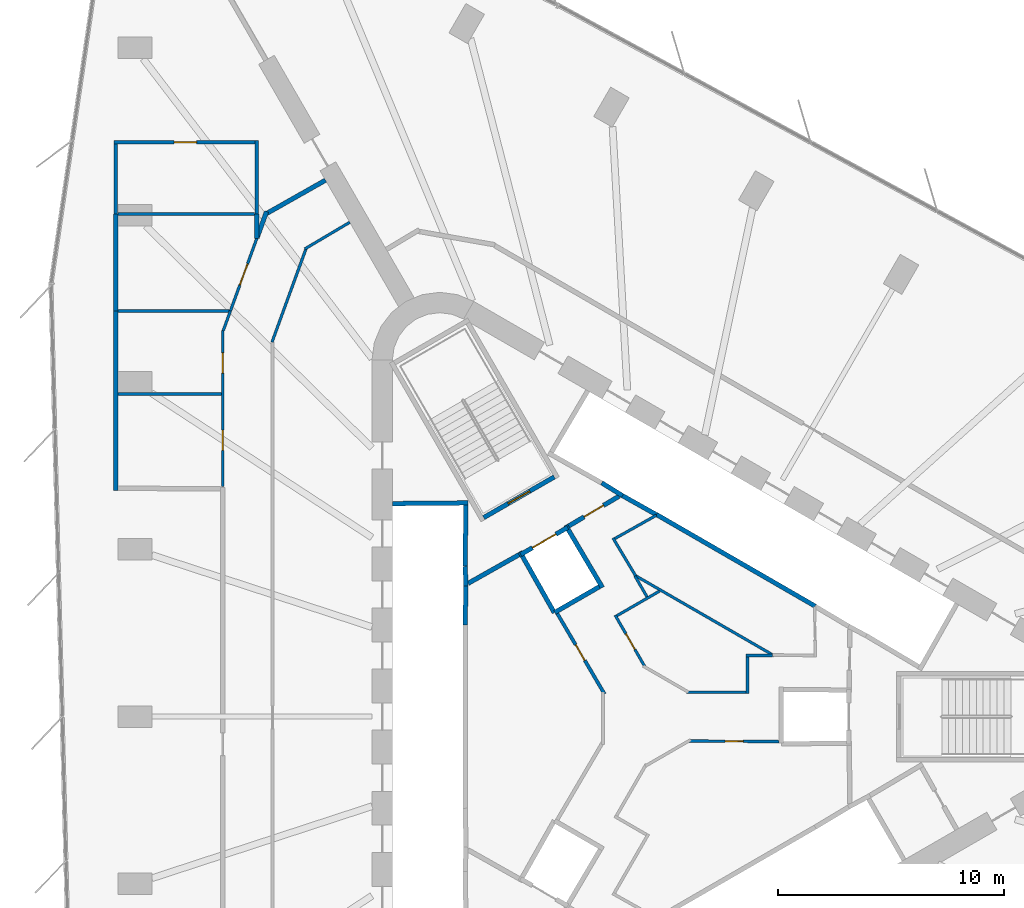
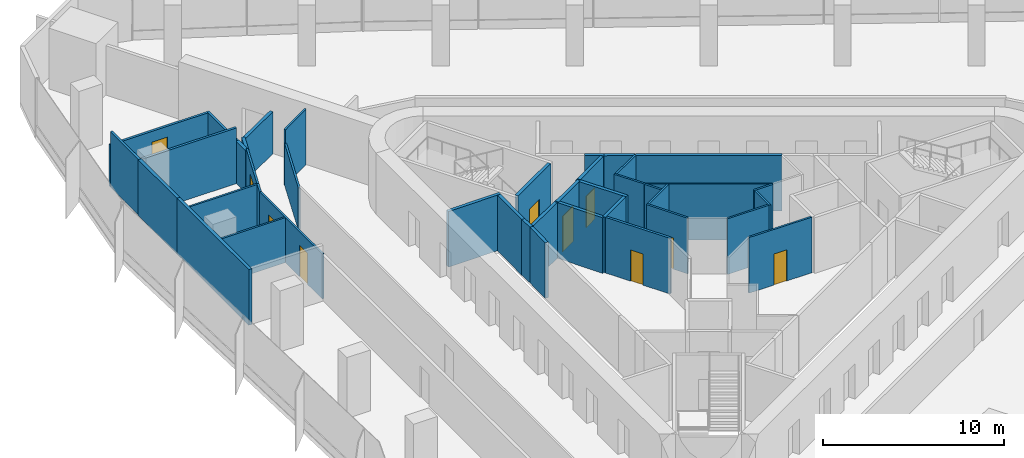
# One storey, part 10 of 14: 41 walls, 10 doors, 10 openings.
"""IFC4 building model written with IfcOpenShell, lengths in metres."""

from ifc_helpers import new_model, si_unit, direction, frame, frame_2d, origin, place, context, subcontext, project, spatial, rectangle, extrude, material, layer, layer_set, type_object, element, fill, save


model = new_model("IFC4")

# Units and contexts
model_context = context("Model", 3, precision=1e-05, world=origin(), true_north=direction((0.0, 1.0)))
body_context = subcontext(model_context, "Body", "Model", "MODEL_VIEW")
ifc_project = project(units=[si_unit("LENGTHUNIT", "METRE"), si_unit("AREAUNIT", "SQUARE_METRE"), si_unit("VOLUMEUNIT", "CUBIC_METRE"), si_unit("PLANEANGLEUNIT", "RADIAN"), si_unit("MASSUNIT", "GRAM", prefix="KILO")], contexts=[model_context])

# Site, building, storey
site_placement = place(None, origin())
site = spatial("IfcSite", under=ifc_project, at=site_placement, CompositionType="ELEMENT")
building_placement = place(site_placement, origin())
building = spatial("IfcBuilding", under=site, at=building_placement, Name="Tanit Gate Tower", CompositionType="ELEMENT")
storey_placement = place(building_placement, frame((0.0, 0.0, 152.10009765625)))
storey = spatial("IfcBuildingStorey", under=building, at=storey_placement, Name="L33", CompositionType="ELEMENT", Elevation=152.10009765625)

# Wall
ifc_material_1 = material(Name="Fire-rated gypsum board partition")
ifc_layer_1 = layer(ifc_material_1, 0.199951171875)
ifc_layer_set_1 = layer_set([ifc_layer_1], Name="INT-WALL-COMPARTMENT")
wall_type_1 = type_object("IfcWallType", Name="INT-WALL-COMPARTMENT", PredefinedType="PARTITIONING", material=ifc_layer_set_1)
wall_1_placement = place(storey_placement, frame((-5.600341796875, 7.16015625, 0.0), z_axis=(0.0, 0.0, 1.0), x_axis=(-0.871340486379, -0.490678873396, 0.0)))
element("IfcWall", 1, at=wall_1_placement, inside=storey, type_object=wall_type_1, Name="Wall Compartment W061", PredefinedType="PARTITIONING", context=body_context, shape_type="SweptSolid", body=[
    extrude(rectangle(XDim=2.580810546875, YDim=0.199951171875, at=frame_2d((1.29052734375, 0.0))), origin(), (0.0, 0.0, 1.0), 3.75),
])

# Wall, opening, door
wall_2_placement = place(storey_placement, frame((-1.179443359375, 9.74462890625, 0.0), z_axis=(0.0, 0.0, 1.0), x_axis=(-0.860598681535, -0.509283721849, 0.0)))
wall_2 = element("IfcWall", 2, at=wall_2_placement, inside=storey, type_object=wall_type_1, Name="Wall Compartment W062", PredefinedType="PARTITIONING", context=body_context, shape_type="SweptSolid", body=[
    extrude(rectangle(XDim=2.5810546875, YDim=0.199951171875, at=frame_2d((1.29052734375, 0.0))), origin(), (0.0, 0.0, 1.0), 3.75),
])
opening_1_placement = place(wall_2_placement, frame((0.79052734375, 0.0, 0.0)))
opening_1 = element("IfcOpeningElement", 3, at=opening_1_placement, cuts=wall_2, Name="Opening F10-S08-05", PredefinedType="OPENING", context=body_context, shape_type="SweptSolid", body=[
    extrude(rectangle(XDim=1.0, YDim=2.10009765625, at=frame_2d((0.5, 1.050048828125))), frame((0.0, 0.10986328125, 0.0), z_axis=(0.0, -1.0, 0.0), x_axis=(1.0, 0.0, 0.0)), (0.0, 0.0, 1.0), 0.219970703125),
])
ifc_material_2 = material(Name="Fire-rated steel door leaf", Category="steel")
door_type_1 = type_object("IfcDoorType", Name="INT-DOOR-FIRE-1000", OperationType="NOTDEFINED", PredefinedType="USERDEFINED", material=ifc_material_2)
door_1_placement = place(opening_1_placement, origin())
door_1 = element("IfcDoor", 4, at=door_1_placement, inside=storey, type_object=door_type_1, Name="Door F10-S08-05", ObjectType="FIRE DOOR", OperationType="SINGLE_SWING_RIGHT", OverallHeight=2.10009765625, OverallWidth=1.0, PredefinedType="USERDEFINED", context=body_context, shape_type="SweptSolid", body=[
    extrude(rectangle(XDim=1.0, YDim=2.10009765625, at=frame_2d((0.5, 1.050048828125))), frame((0.0, 0.02490234375, 0.0), z_axis=(0.0, -1.0, 0.0), x_axis=(1.0, 0.0, 0.0)), (0.0, 0.0, 1.0), 0.050048828125),
])
fill(opening_1, door_1)

# Walls
wall_3_placement = place(storey_placement, frame((-16.760498046875, 22.333251953125, 0.0), z_axis=(0.0, 0.0, 1.0), x_axis=(-0.342041387985, -0.93968488809, 0.0)))
element("IfcWall", 5, at=wall_3_placement, inside=storey, type_object=wall_type_1, Name="Wall Compartment W095", PredefinedType="PARTITIONING", context=body_context, shape_type="SweptSolid", body=[
    extrude(rectangle(XDim=1.248291015625, YDim=0.199951171875, at=frame_2d((0.6240234375, 0.0))), origin(), (0.0, 0.0, 1.0), 2.829833984375),
])
wall_4_placement = place(storey_placement, frame((-14.15625, 23.719482421875, 0.0), z_axis=(0.0, 0.0, 1.0), x_axis=(-0.870320915518, -0.492485029226, 0.0)))
element("IfcWall", 6, at=wall_4_placement, inside=storey, type_object=wall_type_1, Name="Wall Compartment W096", PredefinedType="PARTITIONING", context=body_context, shape_type="SweptSolid", body=[
    extrude(rectangle(XDim=2.98974609375, YDim=0.199951171875, at=frame_2d((1.494873046875, 0.0))), origin(), (0.0, 0.0, 1.0), 2.829833984375),
])
wall_5_placement = place(storey_placement, frame((-23.429931640625, 10.0, 0.0), z_axis=(0.0, 0.0, 1.0), x_axis=(0.0, 1.0, 0.0)))
element("IfcWall", 7, at=wall_5_placement, inside=storey, type_object=wall_type_1, Name="Wall Compartment W120", PredefinedType="PARTITIONING", context=body_context, shape_type="SweptSolid", body=[
    extrude(rectangle(XDim=7.931884765625, YDim=0.199951171875, at=frame_2d((3.9658203125, 0.0))), origin(), (0.0, 0.0, 1.0), 3.75),
])
wall_6_placement = place(storey_placement, frame((-23.429931640625, 17.931884765625, 0.0), z_axis=(0.0, 0.0, 1.0), x_axis=(0.0, 1.0, 0.0)))
element("IfcWall", 8, at=wall_6_placement, inside=storey, type_object=wall_type_1, Name="Wall Compartment W123", PredefinedType="PARTITIONING", context=body_context, shape_type="SweptSolid", body=[
    extrude(rectangle(XDim=4.28466796875, YDim=0.199951171875, at=frame_2d((2.142333984375, 0.0))), origin(), (0.0, 0.0, 1.0), 3.75),
])
wall_7_placement = place(storey_placement, frame((-17.199951171875, 21.141357421875, 0.0), z_axis=(0.0, 0.0, 1.0), x_axis=(0.0, 1.0, 0.0)))
element("IfcWall", 9, at=wall_7_placement, inside=storey, type_object=wall_type_1, Name="Wall Compartment W124", PredefinedType="PARTITIONING", context=body_context, shape_type="SweptSolid", body=[
    extrude(rectangle(XDim=1.0751953125, YDim=0.199951171875, at=frame_2d((0.53759765625, 0.0))), origin(), (0.0, 0.0, 1.0), 2.829833984375),
])

# Wall, opening, door
ifc_material_3 = material(Name="Gypsum board partition")
ifc_layer_2 = layer(ifc_material_3, 0.1201171875)
ifc_layer_set_2 = layer_set([ifc_layer_2], Name="INT-WALL-PARTITION")
wall_type_2 = type_object("IfcWallType", Name="INT-WALL-PARTITION", PredefinedType="PARTITIONING", material=ifc_layer_set_2)
wall_8_placement = place(storey_placement, frame((5.89990234375, -1.103759765625, 0.0), z_axis=(0.0, 0.0, 1.0), x_axis=(-0.999974192295, 0.007184340221, 0.0)))
wall_8 = element("IfcWall", 10, at=wall_8_placement, inside=storey, type_object=wall_type_2, Name="Wall Partition W073", PredefinedType="PARTITIONING", context=body_context, shape_type="SweptSolid", body=[
    extrude(rectangle(XDim=3.975830078125, YDim=0.1201171875, at=frame_2d((1.98779296875, 0.0))), origin(), (0.0, 0.0, 1.0), 3.75),
])
opening_2_placement = place(wall_8_placement, frame((1.587890625, 0.0, 0.0)))
opening_2 = element("IfcOpeningElement", 11, at=opening_2_placement, cuts=wall_8, Name="Opening R08-S08-11", PredefinedType="OPENING", context=body_context, shape_type="SweptSolid", body=[
    extrude(rectangle(XDim=0.800048828125, YDim=2.10009765625, at=frame_2d((0.39990234375, 1.050048828125))), frame((0.0, 0.070068359375, 0.0), z_axis=(0.0, -1.0, 0.0), x_axis=(1.0, 0.0, 0.0)), (0.0, 0.0, 1.0), 0.14013671875),
])
ifc_material_4 = material(Name="Timber door leaf", Category="wood")
door_type_2 = type_object("IfcDoorType", Name="INT-DOOR-RISER-800", OperationType="NOTDEFINED", PredefinedType="USERDEFINED", material=ifc_material_4)
door_2_placement = place(opening_2_placement, origin())
door_2 = element("IfcDoor", 12, at=door_2_placement, inside=storey, type_object=door_type_2, Name="Door R08-S08-11", ObjectType="FIRE DOOR", OperationType="SINGLE_SWING_RIGHT", OverallHeight=2.10009765625, OverallWidth=0.800048828125, PredefinedType="USERDEFINED", context=body_context, shape_type="SweptSolid", body=[
    extrude(rectangle(XDim=0.800048828125, YDim=2.10009765625, at=frame_2d((0.39990234375, 1.050048828125))), frame((0.0, 0.02490234375, 0.0), z_axis=(0.0, -1.0, 0.0), x_axis=(1.0, 0.0, 0.0)), (0.0, 0.0, 1.0), 0.050048828125),
])
fill(opening_2, door_2)

# Walls
wall_9_placement = place(storey_placement, frame((-0.497802734375, 6.262451171875, 0.0), z_axis=(0.0, 0.0, 1.0), x_axis=(0.866016105569, -0.500016104636, 0.0)))
element("IfcWall", 13, at=wall_9_placement, inside=storey, type_object=wall_type_2, Name="Wall Partition W074", PredefinedType="PARTITIONING", context=body_context, shape_type="SweptSolid", body=[
    extrude(rectangle(XDim=7.124755859375, YDim=0.1201171875, at=frame_2d((3.5625, 0.0))), origin(), (0.0, 0.0, 1.0), 3.75),
])
wall_10_placement = place(storey_placement, frame((-1.442626953125, 7.896728515625, 0.0), z_axis=(0.0, 0.0, 1.0), x_axis=(0.51333134022, -0.8581905005, 0.0)))
element("IfcWall", 14, at=wall_10_placement, inside=storey, type_object=wall_type_2, Name="Wall Partition W075", PredefinedType="PARTITIONING", context=body_context, shape_type="SweptSolid", body=[
    extrude(rectangle(XDim=1.943359375, YDim=0.1201171875, at=frame_2d((0.9716796875, 0.0))), origin(), (0.0, 0.0, 1.0), 3.75),
])
wall_11_placement = place(storey_placement, frame((0.475341796875, 8.9052734375, 0.0), z_axis=(0.0, 0.0, 1.0), x_axis=(-0.871832572129, -0.489804007921, 0.0)))
element("IfcWall", 15, at=wall_11_placement, inside=storey, type_object=wall_type_2, Name="Wall Partition W076", PredefinedType="PARTITIONING", context=body_context, shape_type="SweptSolid", body=[
    extrude(rectangle(XDim=2.1044921875, YDim=0.1201171875, at=frame_2d((1.05224609375, 0.0))), origin(), (0.0, 0.0, 1.0), 3.75),
])
wall_12_placement = place(storey_placement, frame((4.43994140625, 2.699951171875, 0.0), z_axis=(0.0, 0.0, 1.0), x_axis=(1.0, 0.0, 0.0)))
element("IfcWall", 16, at=wall_12_placement, inside=storey, type_object=wall_type_2, Name="Wall Partition W079", PredefinedType="PARTITIONING", context=body_context, shape_type="SweptSolid", body=[
    extrude(rectangle(XDim=1.1767578125, YDim=0.1201171875, at=frame_2d((0.58837890625, 0.0))), origin(), (0.0, 0.0, 1.0), 3.75),
])
wall_13_placement = place(storey_placement, frame((4.5, 1.014892578125, 0.0), z_axis=(0.0, 0.0, 1.0), x_axis=(0.0, 1.0, 0.0)))
element("IfcWall", 17, at=wall_13_placement, inside=storey, type_object=wall_type_2, Name="Wall Partition W080", PredefinedType="PARTITIONING", context=body_context, shape_type="SweptSolid", body=[
    extrude(rectangle(XDim=1.625, YDim=0.1201171875, at=frame_2d((0.8125, 0.0))), origin(), (0.0, 0.0, 1.0), 3.75),
])
wall_14_placement = place(storey_placement, frame((1.80126953125, 1.074951171875, 0.0), z_axis=(0.0, 0.0, 1.0), x_axis=(1.0, 0.0, 0.0)))
element("IfcWall", 18, at=wall_14_placement, inside=storey, type_object=wall_type_2, Name="Wall Partition W081", PredefinedType="PARTITIONING", context=body_context, shape_type="SweptSolid", body=[
    extrude(rectangle(XDim=2.638671875, YDim=0.1201171875, at=frame_2d((1.3193359375, 0.0))), origin(), (0.0, 0.0, 1.0), 3.75),
])

# Wall, opening, door
wall_15_placement = place(storey_placement, frame((-1.34912109375, 4.486572265625, 0.0), z_axis=(0.0, 0.0, 1.0), x_axis=(0.500013727357, -0.866017478146, 0.0)))
wall_15 = element("IfcWall", 19, at=wall_15_placement, inside=storey, type_object=wall_type_2, Name="Wall Partition W083", PredefinedType="PARTITIONING", context=body_context, shape_type="SweptSolid", body=[
    extrude(rectangle(XDim=2.63623046875, YDim=0.1201171875, at=frame_2d((1.318115234375, 0.0))), origin(), (0.0, 0.0, 1.0), 3.75),
])
opening_3_placement = place(wall_15_placement, frame((0.947998046875, 0.0, 0.0)))
opening_3 = element("IfcOpeningElement", 20, at=opening_3_placement, cuts=wall_15, Name="Opening R08-S08-13", PredefinedType="OPENING", context=body_context, shape_type="SweptSolid", body=[
    extrude(rectangle(XDim=0.800048828125, YDim=2.10009765625, at=frame_2d((0.39990234375, 1.050048828125))), frame((0.0, 0.070068359375, 0.0), z_axis=(0.0, -1.0, 0.0), x_axis=(1.0, 0.0, 0.0)), (0.0, 0.0, 1.0), 0.14013671875),
])
door_3_placement = place(opening_3_placement, origin())
door_3 = element("IfcDoor", 21, at=door_3_placement, inside=storey, type_object=door_type_2, Name="Door R08-S08-13", ObjectType="FIRE DOOR", OperationType="SINGLE_SWING_RIGHT", OverallHeight=2.10009765625, OverallWidth=0.800048828125, PredefinedType="USERDEFINED", context=body_context, shape_type="SweptSolid", body=[
    extrude(rectangle(XDim=0.800048828125, YDim=2.10009765625, at=frame_2d((0.39990234375, 1.050048828125))), frame((0.0, 0.02490234375, 0.0), z_axis=(0.0, -1.0, 0.0), x_axis=(1.0, 0.0, 0.0)), (0.0, 0.0, 1.0), 0.050048828125),
])
fill(opening_3, door_3)

# Walls
wall_16_placement = place(storey_placement, frame((0.614501953125, 5.551025390625, 0.0), z_axis=(0.0, 0.0, 1.0), x_axis=(-0.866007815276, -0.500030462953, 0.0)))
element("IfcWall", 22, at=wall_16_placement, inside=storey, type_object=wall_type_2, Name="Wall Partition W084", PredefinedType="PARTITIONING", context=body_context, shape_type="SweptSolid", body=[
    extrude(rectangle(XDim=2.172607421875, YDim=0.1201171875, at=frame_2d((1.08642578125, 0.0))), origin(), (0.0, 0.0, 1.0), 3.75),
])
wall_17_placement = place(storey_placement, frame((-0.469970703125, 6.214111328125, 0.0), z_axis=(0.0, 0.0, 1.0), x_axis=(0.500015802937, -0.866016279763, 0.0)))
element("IfcWall", 23, at=wall_17_placement, inside=storey, type_object=wall_type_2, Name="Wall Partition W085", PredefinedType="PARTITIONING", context=body_context, shape_type="SweptSolid", body=[
    extrude(rectangle(XDim=1.056640625, YDim=0.1201171875, at=frame_2d((0.5283203125, 0.0))), origin(), (0.0, 0.0, 1.0), 3.75),
])
wall_18_placement = place(storey_placement, frame((-13.082275390625, 21.859130859375, 0.0), z_axis=(0.0, 0.0, 1.0), x_axis=(-0.860286384661, -0.509811079095, 0.0)))
element("IfcWall", 24, at=wall_18_placement, inside=storey, type_object=wall_type_2, Name="Wall Partition W086", PredefinedType="PARTITIONING", context=body_context, shape_type="SweptSolid", body=[
    extrude(rectangle(XDim=2.310546875, YDim=0.1201171875, at=frame_2d((1.1552734375, 0.0))), origin(), (0.0, 0.0, 1.0), 3.75),
])
wall_19_placement = place(storey_placement, frame((-15.0166015625, 20.6923828125, 0.0), z_axis=(0.0, 0.0, 1.0), x_axis=(-0.342028368186, -0.939689627141, 0.0)))
element("IfcWall", 25, at=wall_19_placement, inside=storey, type_object=wall_type_2, Name="Wall Partition W087", PredefinedType="PARTITIONING", context=body_context, shape_type="SweptSolid", body=[
    extrude(rectangle(XDim=4.39697265625, YDim=0.1201171875, at=frame_2d((2.198486328125, 0.0))), origin(), (0.0, 0.0, 1.0), 2.829833984375),
])

# Wall, openings, doors
wall_20_placement = place(storey_placement, frame((-18.699951171875, 17.064697265625, 0.0), z_axis=(0.0, 0.0, 1.0), x_axis=(0.0, -1.0, 0.0)))
wall_20 = element("IfcWall", 26, at=wall_20_placement, inside=storey, type_object=wall_type_2, Name="Wall Partition W098", PredefinedType="PARTITIONING", context=body_context, shape_type="SweptSolid", body=[
    extrude(rectangle(XDim=6.894775390625, YDim=0.1201171875, at=frame_2d((3.447265625, 0.0))), origin(), (0.0, 0.0, 1.0), 3.02978515625),
])
opening_4_placement = place(wall_20_placement, frame((4.39599609375, 0.0, 0.0)))
opening_4 = element("IfcOpeningElement", 27, at=opening_4_placement, cuts=wall_20, Name="Opening D09-S08-16", PredefinedType="OPENING", context=body_context, shape_type="SweptSolid", body=[
    extrude(rectangle(XDim=0.89990234375, YDim=2.10009765625, at=frame_2d((0.449951171875, 1.050048828125))), frame((0.0, 0.070068359375, 0.0), z_axis=(0.0, -1.0, 0.0), x_axis=(1.0, 0.0, 0.0)), (0.0, 0.0, 1.0), 0.14013671875),
])
opening_5_placement = place(wall_20_placement, frame((0.978759765625, 0.0, 0.0)))
opening_5 = element("IfcOpeningElement", 28, at=opening_5_placement, cuts=wall_20, Name="Opening D09-S08-17", PredefinedType="OPENING", context=body_context, shape_type="SweptSolid", body=[
    extrude(rectangle(XDim=0.89990234375, YDim=2.10009765625, at=frame_2d((0.449951171875, 1.050048828125))), frame((0.0, 0.070068359375, 0.0), z_axis=(0.0, -1.0, 0.0), x_axis=(1.0, 0.0, 0.0)), (0.0, 0.0, 1.0), 0.14013671875),
])
ifc_material_5 = material(Name="Timber door leaf", Category="wood")
door_type_3 = type_object("IfcDoorType", Name="INT-DOOR-SINGLE-900", OperationType="NOTDEFINED", PredefinedType="NOTDEFINED", material=ifc_material_5)
door_4_placement = place(opening_4_placement, origin())
door_4 = element("IfcDoor", 29, at=door_4_placement, inside=storey, type_object=door_type_3, Name="Door D09-S08-16", OperationType="SINGLE_SWING_RIGHT", OverallHeight=2.10009765625, OverallWidth=0.89990234375, PredefinedType="NOTDEFINED", context=body_context, shape_type="SweptSolid", body=[
    extrude(rectangle(XDim=0.89990234375, YDim=2.10009765625, at=frame_2d((0.449951171875, 1.050048828125))), frame((0.0, 0.02490234375, 0.0), z_axis=(0.0, -1.0, 0.0), x_axis=(1.0, 0.0, 0.0)), (0.0, 0.0, 1.0), 0.050048828125),
])
fill(opening_4, door_4)
door_5_placement = place(opening_5_placement, origin())
door_5 = element("IfcDoor", 30, at=door_5_placement, inside=storey, type_object=door_type_3, Name="Door D09-S08-17", OperationType="SINGLE_SWING_RIGHT", OverallHeight=2.10009765625, OverallWidth=0.89990234375, PredefinedType="NOTDEFINED", context=body_context, shape_type="SweptSolid", body=[
    extrude(rectangle(XDim=0.89990234375, YDim=2.10009765625, at=frame_2d((0.449951171875, 1.050048828125))), frame((0.0, 0.02490234375, 0.0), z_axis=(0.0, -1.0, 0.0), x_axis=(1.0, 0.0, 0.0)), (0.0, 0.0, 1.0), 0.050048828125),
])
fill(opening_5, door_5)

# Wall, opening, door
wall_21_placement = place(storey_placement, frame((-17.1875, 21.16015625, 0.0), z_axis=(0.0, 0.0, 1.0), x_axis=(-0.342046352126, -0.939683081149, 0.0)))
wall_21 = element("IfcWall", 31, at=wall_21_placement, inside=storey, type_object=wall_type_2, Name="Wall Partition W100", PredefinedType="PARTITIONING", context=body_context, shape_type="SweptSolid", body=[
    extrude(rectangle(XDim=3.42529296875, YDim=0.1201171875, at=frame_2d((1.712646484375, 0.0))), origin(), (0.0, 0.0, 1.0), 2.929931640625),
])
opening_6_placement = place(wall_21_placement, frame((1.212646484375, 0.0, 0.0)))
opening_6 = element("IfcOpeningElement", 32, at=opening_6_placement, cuts=wall_21, Name="Opening D10-S08-18", PredefinedType="OPENING", context=body_context, shape_type="SweptSolid", body=[
    extrude(rectangle(XDim=1.0, YDim=2.10009765625, at=frame_2d((0.5, 1.050048828125))), frame((0.0, 0.070068359375, 0.0), z_axis=(0.0, -1.0, 0.0), x_axis=(1.0, 0.0, 0.0)), (0.0, 0.0, 1.0), 0.14013671875),
])
ifc_material_6 = material(Name="Timber door leaf", Category="wood")
door_type_4 = type_object("IfcDoorType", Name="INT-DOOR-SINGLE-1000", OperationType="NOTDEFINED", PredefinedType="NOTDEFINED", material=ifc_material_6)
door_6_placement = place(opening_6_placement, origin())
door_6 = element("IfcDoor", 33, at=door_6_placement, inside=storey, type_object=door_type_4, Name="Door D10-S08-18", OperationType="SINGLE_SWING_LEFT", OverallHeight=2.10009765625, OverallWidth=1.0, PredefinedType="NOTDEFINED", context=body_context, shape_type="SweptSolid", body=[
    extrude(rectangle(XDim=1.0, YDim=2.10009765625, at=frame_2d((0.5, 1.050048828125))), frame((0.0, 0.02490234375, 0.0), z_axis=(0.0, -1.0, 0.0), x_axis=(1.0, 0.0, 0.0)), (0.0, 0.0, 1.0), 0.050048828125),
])
fill(opening_6, door_6)

# Walls
wall_22_placement = place(storey_placement, frame((-18.359130859375, 17.94140625, 0.0), z_axis=(0.0, 0.0, 1.0), x_axis=(-0.341910451958, -0.939732537929, 0.0)))
element("IfcWall", 34, at=wall_22_placement, inside=storey, type_object=wall_type_2, Name="Wall Partition W099", PredefinedType="PARTITIONING", context=body_context, shape_type="SweptSolid", body=[
    extrude(rectangle(XDim=0.936767578125, YDim=0.1201171875, at=frame_2d((0.46826171875, 0.0))), origin(), (0.0, 0.0, 1.0), 2.929931640625),
])
wall_23_placement = place(storey_placement, frame((-18.760009765625, 14.267333984375, 0.0), z_axis=(0.0, 0.0, 1.0), x_axis=(-1.0, 0.0, 0.0)))
element("IfcWall", 35, at=wall_23_placement, inside=storey, type_object=wall_type_2, Name="Wall Partition W137", PredefinedType="PARTITIONING", context=body_context, shape_type="SweptSolid", body=[
    extrude(rectangle(XDim=4.570068359375, YDim=0.1201171875, at=frame_2d((2.28515625, 0.0))), origin(), (0.0, 0.0, 1.0), 3.02978515625),
])
wall_24_placement = place(storey_placement, frame((-23.330078125, 17.931884765625, 0.0), z_axis=(0.0, 0.0, 1.0), x_axis=(1.0, 0.0, 0.0)))
element("IfcWall", 36, at=wall_24_placement, inside=storey, type_object=wall_type_2, Name="Wall Partition W138", PredefinedType="PARTITIONING", context=body_context, shape_type="SweptSolid", body=[
    extrude(rectangle(XDim=4.90380859375, YDim=0.1201171875, at=frame_2d((2.451904296875, 0.0))), origin(), (0.0, 0.0, 1.0), 2.929931640625),
])

# Wall, opening, door
ifc_material_7 = material(Name="Fire-rated gypsum board partition")
ifc_layer_3 = layer(ifc_material_7, 0.14990234375)
ifc_layer_set_3 = layer_set([ifc_layer_3], Name="INT-WALL-RISER")
wall_type_3 = type_object("IfcWallType", Name="INT-WALL-RISER", PredefinedType="PLUMBINGWALL", material=ifc_layer_set_3)
wall_25_placement = place(storey_placement, frame((-1.81884765625, 1.002197265625, 0.0), z_axis=(0.0, 0.0, 1.0), x_axis=(-0.506251313942, 0.8623859966, 0.0)))
wall_25 = element("IfcWall", 37, at=wall_25_placement, inside=storey, type_object=wall_type_3, Name="Wall Riser W065", PredefinedType="PLUMBINGWALL", context=body_context, shape_type="SweptSolid", body=[
    extrude(rectangle(XDim=4.122802734375, YDim=0.14990234375, at=frame_2d((2.0615234375, 0.0))), origin(), (0.0, 0.0, 1.0), 3.75),
])
opening_7_placement = place(wall_25_placement, frame((1.72509765625, 0.0, 0.0)))
opening_7 = element("IfcOpeningElement", 38, at=opening_7_placement, cuts=wall_25, Name="Opening R08-S08-10", PredefinedType="OPENING", context=body_context, shape_type="SweptSolid", body=[
    extrude(rectangle(XDim=0.800048828125, YDim=2.10009765625, at=frame_2d((0.39990234375, 1.050048828125))), frame((0.0, 0.0849609375, 0.0), z_axis=(0.0, -1.0, 0.0), x_axis=(1.0, 0.0, 0.0)), (0.0, 0.0, 1.0), 0.169921875),
])
door_7_placement = place(opening_7_placement, origin())
door_7 = element("IfcDoor", 39, at=door_7_placement, inside=storey, type_object=door_type_2, Name="Door R08-S08-10", ObjectType="FIRE DOOR", OperationType="SINGLE_SWING_RIGHT", OverallHeight=2.10009765625, OverallWidth=0.800048828125, PredefinedType="USERDEFINED", context=body_context, shape_type="SweptSolid", body=[
    extrude(rectangle(XDim=0.800048828125, YDim=2.10009765625, at=frame_2d((0.39990234375, 1.050048828125))), frame((0.0, 0.02490234375, 0.0), z_axis=(0.0, -1.0, 0.0), x_axis=(1.0, 0.0, 0.0)), (0.0, 0.0, 1.0), 0.050048828125),
])
fill(opening_7, door_7)

# Wall
wall_26_placement = place(storey_placement, frame((-17.199951171875, 22.216552734375, 0.0), z_axis=(0.0, 0.0, 1.0), x_axis=(0.0, 1.0, 0.0)))
element("IfcWall", 40, at=wall_26_placement, inside=storey, type_object=wall_type_3, Name="Wall Riser W125", PredefinedType="PLUMBINGWALL", context=body_context, shape_type="SweptSolid", body=[
    extrude(rectangle(XDim=3.258544921875, YDim=0.14990234375, at=frame_2d((1.62939453125, 0.0))), origin(), (0.0, 0.0, 1.0), 2.829833984375),
])

# Wall, opening, door
wall_27_placement = place(storey_placement, frame((-17.27490234375, 25.39990234375, 0.0), z_axis=(0.0, 0.0, 1.0), x_axis=(-1.0, 0.0, 0.0)))
wall_27 = element("IfcWall", 41, at=wall_27_placement, inside=storey, type_object=wall_type_3, Name="Wall Riser W126", PredefinedType="PLUMBINGWALL", context=body_context, shape_type="SweptSolid", body=[
    extrude(rectangle(XDim=6.22998046875, YDim=0.14990234375, at=frame_2d((3.114990234375, 0.0))), origin(), (0.0, 0.0, 1.0), 2.829833984375),
])
opening_8_placement = place(wall_27_placement, frame((2.577392578125, 0.0, 0.0)))
opening_8 = element("IfcOpeningElement", 42, at=opening_8_placement, cuts=wall_27, Name="Opening F10-S08-19", PredefinedType="OPENING", context=body_context, shape_type="SweptSolid", body=[
    extrude(rectangle(XDim=1.0, YDim=2.10009765625, at=frame_2d((0.5, 1.050048828125))), frame((0.0, 0.0849609375, 0.0), z_axis=(0.0, -1.0, 0.0), x_axis=(1.0, 0.0, 0.0)), (0.0, 0.0, 1.0), 0.169921875),
])
door_8_placement = place(opening_8_placement, origin())
door_8 = element("IfcDoor", 43, at=door_8_placement, inside=storey, type_object=door_type_1, Name="Door F10-S08-19", ObjectType="FIRE DOOR", OperationType="SINGLE_SWING_RIGHT", OverallHeight=2.10009765625, OverallWidth=1.0, PredefinedType="USERDEFINED", context=body_context, shape_type="SweptSolid", body=[
    extrude(rectangle(XDim=1.0, YDim=2.10009765625, at=frame_2d((0.5, 1.050048828125))), frame((0.0, 0.02490234375, 0.0), z_axis=(0.0, -1.0, 0.0), x_axis=(1.0, 0.0, 0.0)), (0.0, 0.0, 1.0), 0.050048828125),
])
fill(opening_8, door_8)

# Walls
wall_28_placement = place(storey_placement, frame((-23.429931640625, 22.216552734375, 0.0), z_axis=(0.0, 0.0, 1.0), x_axis=(0.0, 1.0, 0.0)))
element("IfcWall", 44, at=wall_28_placement, inside=storey, type_object=wall_type_3, Name="Wall Riser W127", PredefinedType="PLUMBINGWALL", context=body_context, shape_type="SweptSolid", body=[
    extrude(rectangle(XDim=3.1083984375, YDim=0.14990234375, at=frame_2d((1.55419921875, 0.0))), origin(), (0.0, 0.0, 1.0), 3.75),
])
wall_29_placement = place(storey_placement, frame((-17.300048828125, 22.22412109375, 0.0), z_axis=(0.0, 0.0, 1.0), x_axis=(-1.0, 0.0, 0.0)))
element("IfcWall", 45, at=wall_29_placement, inside=storey, type_object=wall_type_3, Name="Wall Riser W139", PredefinedType="PLUMBINGWALL", context=body_context, shape_type="SweptSolid", body=[
    extrude(rectangle(XDim=6.030029296875, YDim=0.14990234375, at=frame_2d((3.01513671875, 0.0))), origin(), (0.0, 0.0, 1.0), 3.75),
])
ifc_material_8 = material(Name="Gypsum shaft wall system")
ifc_layer_4 = layer(ifc_material_8, 0.199951171875)
ifc_layer_set_4 = layer_set([ifc_layer_4], Name="INT-WALL-SHAFT")
wall_type_4 = type_object("IfcWallType", Name="INT-WALL-SHAFT", PredefinedType="PLUMBINGWALL", material=ifc_layer_set_4)
wall_30_placement = place(storey_placement, frame((-11.199951171875, 9.419921875, 0.0), z_axis=(0.0, 0.0, 1.0), x_axis=(0.999957167047, 0.009255488683, 0.0)))
element("IfcWall", 46, at=wall_30_placement, inside=storey, type_object=wall_type_4, Name="Wall Shaft W001", PredefinedType="PLUMBINGWALL", context=body_context, shape_type="SweptSolid", body=[
    extrude(rectangle(XDim=3.35009765625, YDim=0.199951171875, at=frame_2d((1.675048828125, 0.0))), origin(), (0.0, 0.0, 1.0), 3.75),
])
wall_31_placement = place(storey_placement, frame((-7.951171875, 9.35009765625, 0.0), z_axis=(0.0, 0.0, 1.0), x_axis=(-0.011120469654, -0.999938165666, 0.0)))
element("IfcWall", 47, at=wall_31_placement, inside=storey, type_object=wall_type_4, Name="Wall Shaft W002", PredefinedType="PLUMBINGWALL", context=body_context, shape_type="SweptSolid", body=[
    extrude(rectangle(XDim=2.700439453125, YDim=0.199951171875, at=frame_2d((1.35009765625, 0.0))), origin(), (0.0, 0.0, 1.0), 3.75),
])
wall_32_placement = place(storey_placement, frame((7.497314453125, 4.885986328125, 0.0), z_axis=(0.0, 0.0, 1.0), x_axis=(-0.866030989016, 0.499990325971, 0.0)))
element("IfcWall", 48, at=wall_32_placement, inside=storey, type_object=wall_type_4, Name="Wall Shaft W003", PredefinedType="PLUMBINGWALL", context=body_context, shape_type="SweptSolid", body=[
    extrude(rectangle(XDim=8.099853515625, YDim=0.199951171875, at=frame_2d((4.0498046875, 0.0))), origin(), (0.0, 0.0, 1.0), 3.75),
])
wall_33_placement = place(storey_placement, frame((-7.97705078125, 6.650146484375, 0.0), z_axis=(0.0, 0.0, 1.0), x_axis=(0.030861509705, -0.999523670164, 0.0)))
element("IfcWall", 49, at=wall_33_placement, inside=storey, type_object=wall_type_4, Name="Wall Shaft W004", PredefinedType="PLUMBINGWALL", context=body_context, shape_type="SweptSolid", body=[
    extrude(rectangle(XDim=0.878173828125, YDim=0.199951171875, at=frame_2d((0.43896484375, 0.0))), origin(), (0.0, 0.0, 1.0), 3.75),
])
wall_34_placement = place(storey_placement, frame((-7.948974609375, 5.894287109375, 0.0), z_axis=(0.0, 0.0, 1.0), x_axis=(-0.016809909365, -0.999858703491, 0.0)))
element("IfcWall", 50, at=wall_34_placement, inside=storey, type_object=wall_type_4, Name="Wall Shaft W005", PredefinedType="PLUMBINGWALL", context=body_context, shape_type="SweptSolid", body=[
    extrude(rectangle(XDim=1.844482421875, YDim=0.199951171875, at=frame_2d((0.92236328125, 0.0))), origin(), (0.0, 0.0, 1.0), 3.75),
])
wall_35_placement = place(storey_placement, frame((-1.940673828125, 10.338623046875, 0.0), z_axis=(0.0, 0.0, 1.0), x_axis=(0.850216889117, -0.526432561171, 0.0)))
element("IfcWall", 51, at=wall_35_placement, inside=storey, type_object=wall_type_4, Name="Wall Shaft W019", PredefinedType="PLUMBINGWALL", context=body_context, shape_type="SweptSolid", body=[
    extrude(rectangle(XDim=1.078369140625, YDim=0.199951171875, at=frame_2d((0.5390625, 0.0))), origin(), (0.0, 0.0, 1.0), 3.75),
])
wall_36_placement = place(storey_placement, frame((0.478271484375, 8.928466796875, 0.0), z_axis=(0.0, 0.0, 1.0), x_axis=(-0.871988740738, 0.489525929882, 0.0)))
element("IfcWall", 52, at=wall_36_placement, inside=storey, type_object=wall_type_4, Name="Wall Shaft W020", PredefinedType="PLUMBINGWALL", context=body_context, shape_type="SweptSolid", body=[
    extrude(rectangle(XDim=1.8447265625, YDim=0.199951171875, at=frame_2d((0.92236328125, 0.0))), origin(), (0.0, 0.0, 1.0), 3.75),
])

# Wall, opening, door
wall_37_placement = place(storey_placement, frame((-5.524169921875, 7.168212890625, 0.0), z_axis=(0.0, 0.0, 1.0), x_axis=(0.866024647952, 0.500001309137, 0.0)))
wall_37 = element("IfcWall", 53, at=wall_37_placement, inside=storey, type_object=wall_type_4, Name="Wall Shaft W045", PredefinedType="PLUMBINGWALL", context=body_context, shape_type="SweptSolid", body=[
    extrude(rectangle(XDim=2.39990234375, YDim=0.199951171875, at=frame_2d((1.199951171875, 0.0))), origin(), (0.0, 0.0, 1.0), 3.75),
])
opening_9_placement = place(wall_37_placement, frame((0.60009765625, 0.0, 0.0)))
opening_9 = element("IfcOpeningElement", 54, at=opening_9_placement, cuts=wall_37, Name="Opening LDFL2-L33", PredefinedType="OPENING", context=body_context, shape_type="SweptSolid", body=[
    extrude(rectangle(XDim=1.199951171875, YDim=2.39990234375, at=frame_2d((0.60009765625, 1.199951171875))), frame((0.0, 0.10986328125, 0.0), z_axis=(0.0, -1.0, 0.0), x_axis=(1.0, 0.0, 0.0)), (0.0, 0.0, 1.0), 0.219970703125),
])
ifc_material_9 = material(Name="Stainless steel sliding door leaf", Category="steel")
door_type_5 = type_object("IfcDoorType", Name="INT-DOOR-LANDING-1200", OperationType="NOTDEFINED", PredefinedType="USERDEFINED", material=ifc_material_9)
door_9_placement = place(opening_9_placement, origin())
door_9 = element("IfcDoor", 55, at=door_9_placement, inside=storey, type_object=door_type_5, Name="Door LDFL2-L33", ObjectType="LANDING DOOR", OperationType="SLIDING_TO_LEFT", OverallHeight=2.39990234375, OverallWidth=1.199951171875, PredefinedType="USERDEFINED", context=body_context, shape_type="SweptSolid", body=[
    extrude(rectangle(XDim=1.199951171875, YDim=2.39990234375, at=frame_2d((0.60009765625, 1.199951171875))), frame((0.0, 0.02490234375, 0.0), z_axis=(0.0, -1.0, 0.0), x_axis=(1.0, 0.0, 0.0)), (0.0, 0.0, 1.0), 0.050048828125),
])
fill(opening_9, door_9)

# Walls
wall_38_placement = place(storey_placement, frame((-4.039306640625, 4.59619140625, 0.0), z_axis=(0.0, 0.0, 1.0), x_axis=(-0.491322718731, 0.870977603649, 0.0)))
element("IfcWall", 56, at=wall_38_placement, inside=storey, type_object=wall_type_4, Name="Wall Shaft W046", PredefinedType="PLUMBINGWALL", context=body_context, shape_type="SweptSolid", body=[
    extrude(rectangle(XDim=3.10009765625, YDim=0.199951171875, at=frame_2d((1.550048828125, 0.0))), origin(), (0.0, 0.0, 1.0), 3.75),
])
wall_39_placement = place(storey_placement, frame((-3.53759765625, 8.46533203125, 0.0), z_axis=(0.0, 0.0, 1.0), x_axis=(0.508616218331, -0.860993346345, 0.0)))
element("IfcWall", 57, at=wall_39_placement, inside=storey, type_object=wall_type_4, Name="Wall Shaft W047", PredefinedType="PLUMBINGWALL", context=body_context, shape_type="SweptSolid", body=[
    extrude(rectangle(XDim=3.2001953125, YDim=0.199951171875, at=frame_2d((1.60009765625, 0.0))), origin(), (0.0, 0.0, 1.0), 3.75),
])
wall_40_placement = place(storey_placement, frame((-2.04736328125, 5.74609375, 0.0), z_axis=(0.0, 0.0, 1.0), x_axis=(-0.866046471269, -0.499963508271, 0.0)))
element("IfcWall", 58, at=wall_40_placement, inside=storey, type_object=wall_type_4, Name="Wall Shaft W048", PredefinedType="PLUMBINGWALL", context=body_context, shape_type="SweptSolid", body=[
    extrude(rectangle(XDim=2.279541015625, YDim=0.199951171875, at=frame_2d((1.1396484375, 0.0))), origin(), (0.0, 0.0, 1.0), 3.75),
])

# Wall, opening, door
ifc_material_10 = material(Name="Concrete C40/50", Category="concrete")
ifc_layer_5 = layer(ifc_material_10, 0.199951171875)
ifc_layer_set_5 = layer_set([ifc_layer_5], Name="INT-WALL-STAIR")
wall_type_5 = type_object("IfcWallType", Name="INT-WALL-STAIR", PredefinedType="SHEAR", material=ifc_layer_set_5)
wall_41_placement = place(storey_placement, frame((-7.158935546875, 8.799560546875, -0.300048828125), z_axis=(0.0, 0.0, 1.0), x_axis=(0.866047807691, 0.499961193289, 0.0)))
wall_41 = element("IfcWall", 59, at=wall_41_placement, inside=storey, type_object=wall_type_5, Name="Wall Stair W044", PredefinedType="SHEAR", context=body_context, shape_type="SweptSolid", body=[
    extrude(rectangle(XDim=3.599853515625, YDim=0.199951171875, at=frame_2d((1.7998046875, 0.0))), origin(), (0.0, 0.0, 1.0), 4.050048828125),
])
opening_10_placement = place(wall_41_placement, frame((1.25, 0.0, 0.300048828125)))
opening_10 = element("IfcOpeningElement", 60, at=opening_10_placement, cuts=wall_41, Name="Opening S11-S08-04", PredefinedType="OPENING", context=body_context, shape_type="SweptSolid", body=[
    extrude(rectangle(XDim=1.10009765625, YDim=2.10009765625, at=frame_2d((0.550048828125, 1.050048828125))), frame((0.0, 0.10986328125, 0.0), z_axis=(0.0, -1.0, 0.0), x_axis=(1.0, 0.0, 0.0)), (0.0, 0.0, 1.0), 0.219970703125),
])
ifc_material_11 = material(Name="Timber door leaf", Category="wood")
door_type_6 = type_object("IfcDoorType", Name="INT-DOOR-STAIR-1100", OperationType="NOTDEFINED", PredefinedType="USERDEFINED", material=ifc_material_11)
door_10_placement = place(opening_10_placement, origin())
door_10 = element("IfcDoor", 61, at=door_10_placement, inside=storey, type_object=door_type_6, Name="Door S11-S08-04", ObjectType="FIRE DOOR", OperationType="SINGLE_SWING_LEFT", OverallHeight=2.10009765625, OverallWidth=1.10009765625, PredefinedType="USERDEFINED", context=body_context, shape_type="SweptSolid", body=[
    extrude(rectangle(XDim=1.10009765625, YDim=2.10009765625, at=frame_2d((0.550048828125, 1.050048828125))), frame((0.0, 0.02490234375, 0.0), z_axis=(0.0, -1.0, 0.0), x_axis=(1.0, 0.0, 0.0)), (0.0, 0.0, 1.0), 0.050048828125),
])
fill(opening_10, door_10)

save(model, "model.ifc")
